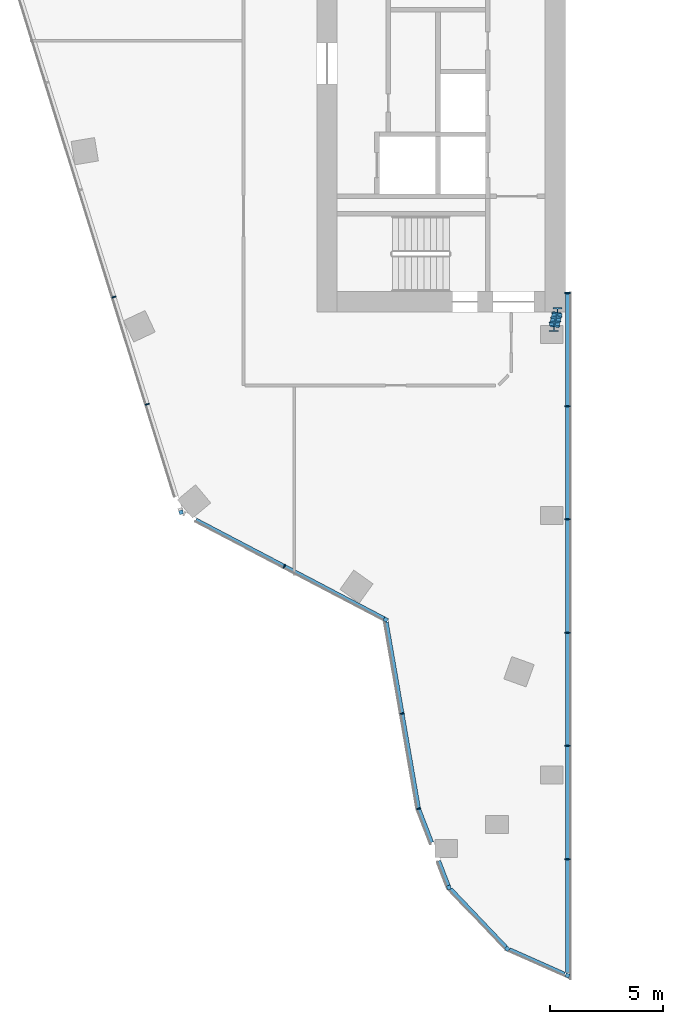
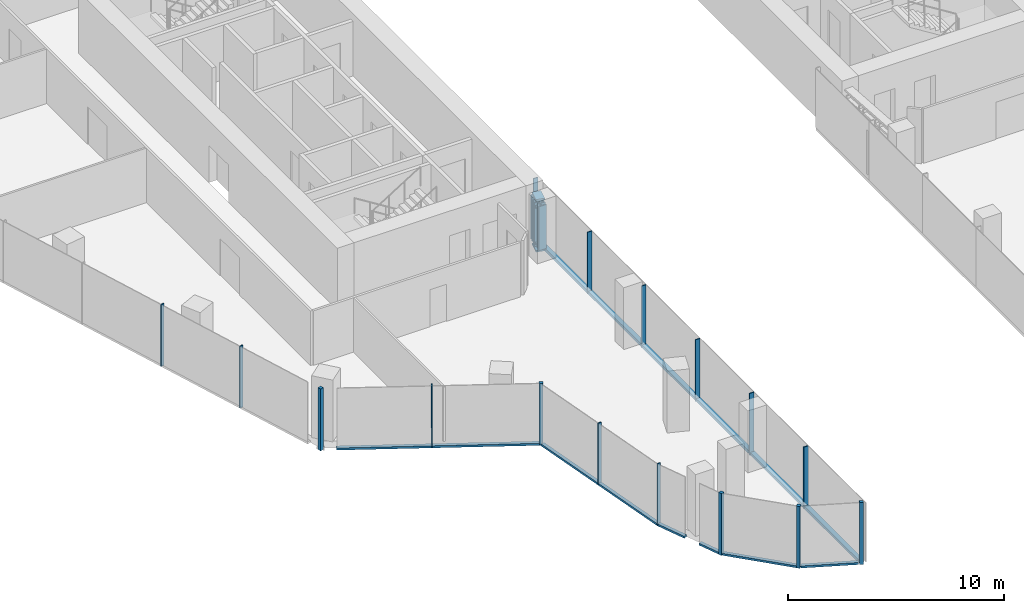
# One storey, part 2 of 23: 29 members, 7 elements without a shape of their own.
"""IFC4 building model written with IfcOpenShell, lengths in metres."""

from ifc_helpers import new_model, si_unit, direction, frame, origin, origin_2d, place, context, subcontext, project, spatial, rectangle, i_section, extrude, material, material_profile, profile_set, type_object, element, aggregate, save


model = new_model("IFC4")

# Units and contexts
model_context = context("Model", 3, precision=1e-05, world=origin(), true_north=direction((0.0, 1.0)))
body_context = subcontext(model_context, "Body", "Model", "MODEL_VIEW")
ifc_project = project(units=[si_unit("LENGTHUNIT", "METRE"), si_unit("AREAUNIT", "SQUARE_METRE"), si_unit("VOLUMEUNIT", "CUBIC_METRE"), si_unit("PLANEANGLEUNIT", "RADIAN"), si_unit("MASSUNIT", "GRAM", prefix="KILO")], contexts=[model_context])

# Site, building, storey
site_placement = place(None, origin())
site = spatial("IfcSite", under=ifc_project, at=site_placement, CompositionType="ELEMENT")
building_placement = place(site_placement, origin())
building = spatial("IfcBuilding", under=site, at=building_placement, Name="Orlundy Tower", CompositionType="ELEMENT")
storey_placement = place(building_placement, frame((0.0, 0.0, 264.0)))
storey = spatial("IfcBuildingStorey", under=building, at=storey_placement, Name="L70", CompositionType="ELEMENT", Elevation=264.0)

# Curtain wall, member
ifc_material_1 = material(Name="Aluminium bronze anodised", Category="aluminium")
curtain_wall_type = type_object("IfcCurtainWallType", Name="CW1 wall", PredefinedType="NOTDEFINED", material=ifc_material_1)
curtain_wall_1_placement = place(storey_placement, origin())
curtain_wall_1 = element("IfcCurtainWall", 1, at=curtain_wall_1_placement, inside=storey, type_object=curtain_wall_type, Name="CW1 run 00", PredefinedType="NOTDEFINED")
ifc_material_2 = material(Name="Aluminium bronze anodised", Category="aluminium")
ifc_material_profile_1 = material_profile(ifc_material_2, rectangle(XDim=0.179931640625, YDim=0.179931640625, at=origin_2d()), Name="CW1 corner post 180x180")
ifc_profile_set_1 = profile_set([ifc_material_profile_1], Name="Aluminium bronze anodised")
member_type_1 = type_object("IfcMemberType", Name="CW1 corner post 180x180", PredefinedType="MULLION", material=ifc_profile_set_1)
member_1_placement = place(storey_placement, frame((-15.9501953125, -25.612060546875, -0.39990234375), z_axis=(0.0, 0.0, 1.0), x_axis=(-0.464324546988, -0.885665125804, 0.0)))
member_1 = element("IfcMember", 2, at=member_1_placement, type_object=member_type_1, Name="CW1 mullion 1", PredefinedType="MULLION", context=body_context, shape_type="SweptSolid", body=[
    extrude(rectangle(XDim=0.179931640625, YDim=0.179931640625, at=origin_2d()), origin(), (0.0, 0.0, 1.0), 3.5),
])

curtain_wall_2_placement = place(storey_placement, origin())
curtain_wall_2 = element("IfcCurtainWall", 3, at=curtain_wall_2_placement, inside=storey, type_object=curtain_wall_type, Name="CW1 run 01", PredefinedType="NOTDEFINED")
member_2_placement = place(storey_placement, frame((-25.009765625, -20.8623046875, -0.39990234375), z_axis=(0.0, 0.0, 1.0), x_axis=(-0.954580158408, -0.297954226643, 0.0)))
member_2 = element("IfcMember", 4, at=member_2_placement, type_object=member_type_1, Name="CW1 mullion 3", PredefinedType="MULLION", context=body_context, shape_type="SweptSolid", body=[
    extrude(rectangle(XDim=0.179931640625, YDim=0.179931640625, at=origin_2d()), origin(), (0.0, 0.0, 1.0), 3.5),
])

curtain_wall_3_placement = place(storey_placement, origin())
curtain_wall_3 = element("IfcCurtainWall", 5, at=curtain_wall_3_placement, inside=storey, type_object=curtain_wall_type, Name="CW1 run 05", PredefinedType="NOTDEFINED")
member_3_placement = place(storey_placement, frame((-7.909912109375, -41.361328125, -0.39990234375), z_axis=(0.0, 0.0, 1.0), x_axis=(-0.405432387581, -0.914125034719, 0.0)))
member_3 = element("IfcMember", 6, at=member_3_placement, type_object=member_type_1, Name="CW1 mullion 30", PredefinedType="MULLION", context=body_context, shape_type="SweptSolid", body=[
    extrude(rectangle(XDim=0.179931640625, YDim=0.179931640625, at=origin_2d()), origin(), (0.0, 0.0, 1.0), 3.5),
])

curtain_wall_4_placement = place(storey_placement, origin())
curtain_wall_4 = element("IfcCurtainWall", 7, at=curtain_wall_4_placement, inside=storey, type_object=curtain_wall_type, Name="CW1 run 06", PredefinedType="NOTDEFINED")
member_4_placement = place(storey_placement, frame((-10.575927734375, -40.178955078125, -0.39990234375), z_axis=(0.0, 0.0, 1.0), x_axis=(-0.724291875351, -0.689493494749, 0.0)))
member_4 = element("IfcMember", 8, at=member_4_placement, type_object=member_type_1, Name="CW1 mullion 31", PredefinedType="MULLION", context=body_context, shape_type="SweptSolid", body=[
    extrude(rectangle(XDim=0.179931640625, YDim=0.179931640625, at=origin_2d()), origin(), (0.0, 0.0, 1.0), 3.5),
])

curtain_wall_5_placement = place(storey_placement, origin())
curtain_wall_5 = element("IfcCurtainWall", 9, at=curtain_wall_5_placement, inside=storey, type_object=curtain_wall_type, Name="CW1 run 07", PredefinedType="NOTDEFINED")
member_5_placement = place(storey_placement, frame((-13.156494140625, -37.468017578125, -0.39990234375), z_axis=(0.0, 0.0, 1.0), x_axis=(-0.933109013885, -0.359593615358, 0.0)))
member_5 = element("IfcMember", 10, at=member_5_placement, type_object=member_type_1, Name="CW1 mullion 32", PredefinedType="MULLION", context=body_context, shape_type="SweptSolid", body=[
    extrude(rectangle(XDim=0.179931640625, YDim=0.179931640625, at=origin_2d()), origin(), (0.0, 0.0, 1.0), 3.5),
])

# Member
ifc_material_3 = material(Name="Aluminium bronze anodised", Category="aluminium")
ifc_material_profile_2 = material_profile(ifc_material_3, rectangle(XDim=0.179931640625, YDim=0.050048828125, at=origin_2d()), Name="CW1 mullion 50x180")
ifc_profile_set_2 = profile_set([ifc_material_profile_2], Name="Aluminium bronze anodised")
member_type_2 = type_object("IfcMemberType", Name="CW1 mullion 50x180", PredefinedType="MULLION", material=ifc_profile_set_2)
member_6_placement = place(storey_placement, frame((-20.44384765625, -23.256103515625, -0.39990234375), z_axis=(0.0, 0.0, 1.0), x_axis=(-0.464324546988, -0.885665125804, 0.0)))
member_6 = element("IfcMember", 11, at=member_6_placement, type_object=member_type_2, Name="CW1 mullion 2", PredefinedType="MULLION", context=body_context, shape_type="SweptSolid", body=[
    extrude(rectangle(XDim=0.179931640625, YDim=0.050048828125, at=origin_2d()), origin(), (0.0, 0.0, 1.0), 3.5),
])

member_7_placement = place(storey_placement, frame((-26.501953125, -16.08203125, -0.39990234375), z_axis=(0.0, 0.0, 1.0), x_axis=(-0.954580158408, -0.297954226643, 0.0)))
member_7 = element("IfcMember", 12, at=member_7_placement, type_object=member_type_2, Name="CW1 mullion 4", PredefinedType="MULLION", context=body_context, shape_type="SweptSolid", body=[
    extrude(rectangle(XDim=0.179931640625, YDim=0.050048828125, at=origin_2d()), origin(), (0.0, 0.0, 1.0), 3.5),
])

member_8_placement = place(storey_placement, frame((-27.98291015625, -11.337158203125, -0.39990234375), z_axis=(0.0, 0.0, 1.0), x_axis=(-0.954580158408, -0.297954226643, 0.0)))
member_8 = element("IfcMember", 13, at=member_8_placement, type_object=member_type_2, Name="CW1 mullion 5", PredefinedType="MULLION", context=body_context, shape_type="SweptSolid", body=[
    extrude(rectangle(XDim=0.179931640625, YDim=0.050048828125, at=origin_2d()), origin(), (0.0, 0.0, 1.0), 3.5),
])

aggregate(curtain_wall_2, [member_2, member_7, member_8])

# Curtain wall, members
curtain_wall_6_placement = place(storey_placement, origin())
curtain_wall_6 = element("IfcCurtainWall", 14, at=curtain_wall_6_placement, inside=storey, type_object=curtain_wall_type, Name="CW1 run 08", PredefinedType="NOTDEFINED")
member_9_placement = place(storey_placement, frame((-14.499267578125, -33.984130859375, -0.39990234375), z_axis=(0.0, 0.0, 1.0), x_axis=(-0.963846106573, -0.266459533219, 0.0)))
member_9 = element("IfcMember", 15, at=member_9_placement, type_object=member_type_2, Name="CW1 mullion 33", PredefinedType="MULLION", context=body_context, shape_type="SweptSolid", body=[
    extrude(rectangle(XDim=0.179931640625, YDim=0.050048828125, at=origin_2d()), origin(), (0.0, 0.0, 1.0), 3.5),
])
member_10_placement = place(storey_placement, frame((-15.229248046875, -29.77197265625, -0.39990234375), z_axis=(0.0, 0.0, 1.0), x_axis=(-0.985312227538, -0.170762449807, 0.0)))
member_10 = element("IfcMember", 16, at=member_10_placement, type_object=member_type_2, Name="CW1 mullion 34", PredefinedType="MULLION", context=body_context, shape_type="SweptSolid", body=[
    extrude(rectangle(XDim=0.179931640625, YDim=0.050048828125, at=origin_2d()), origin(), (0.0, 0.0, 1.0), 3.5),
])

# Member
ifc_material_4 = material(Name="Aluminium bronze anodised", Category="aluminium")
ifc_material_profile_3 = material_profile(ifc_material_4, rectangle(XDim=0.179931640625, YDim=0.1201171875, at=origin_2d()), Name="CW1 transom 180x120")
ifc_profile_set_3 = profile_set([ifc_material_profile_3], Name="Aluminium bronze anodised")
member_type_3 = type_object("IfcMemberType", Name="CW1 transom 180x120", PredefinedType="USERDEFINED", material=ifc_profile_set_3)
member_11_placement = place(storey_placement, frame((-16.02978515625, -25.5703125, -0.340087890625), z_axis=(-0.885668458916, 0.464318189263, 0.0), x_axis=(-0.464318189263, -0.885668458916, 0.0)))
member_11 = element("IfcMember", 17, at=member_11_placement, type_object=member_type_3, Name="CW1 transom", ObjectType="TRANSOM", PredefinedType="USERDEFINED", context=body_context, shape_type="SweptSolid", body=[
    extrude(rectangle(XDim=0.179931640625, YDim=0.1201171875, at=origin_2d()), origin(), (0.0, 0.0, 1.0), 9.4091796875),
])

aggregate(curtain_wall_1, [member_1, member_6, member_11])

member_12_placement = place(storey_placement, frame((-8.036376953125, -41.30517578125, -0.340087890625), z_axis=(-0.914145503169, 0.405386234393, 0.0), x_axis=(-0.405386234393, -0.914145503169, 0.0)))
member_12 = element("IfcMember", 18, at=member_12_placement, type_object=member_type_3, Name="CW1 transom", ObjectType="TRANSOM", PredefinedType="USERDEFINED", context=body_context, shape_type="SweptSolid", body=[
    extrude(rectangle(XDim=0.179931640625, YDim=0.1201171875, at=origin_2d()), origin(), (0.0, 0.0, 1.0), 2.6806640625),
])

aggregate(curtain_wall_3, [member_3, member_12])

member_13_placement = place(storey_placement, frame((-10.637939453125, -40.11376953125, -0.340087890625), z_axis=(-0.689485404708, 0.724299576622, 0.0), x_axis=(-0.724299576622, -0.689485404708, 0.0)))
member_13 = element("IfcMember", 19, at=member_13_placement, type_object=member_type_3, Name="CW1 transom", ObjectType="TRANSOM", PredefinedType="USERDEFINED", context=body_context, shape_type="SweptSolid", body=[
    extrude(rectangle(XDim=0.179931640625, YDim=0.1201171875, at=origin_2d()), origin(), (0.0, 0.0, 1.0), 3.555419921875),
])

aggregate(curtain_wall_4, [member_4, member_13])

member_14_placement = place(storey_placement, frame((-13.18896484375, -37.384033203125, -0.340087890625), z_axis=(-0.359552671878, 0.933124791303, 0.0), x_axis=(-0.933124791303, -0.359552671878, 0.0)))
member_14 = element("IfcMember", 20, at=member_14_placement, type_object=member_type_3, Name="CW1 transom", ObjectType="TRANSOM", PredefinedType="USERDEFINED", context=body_context, shape_type="SweptSolid", body=[
    extrude(rectangle(XDim=0.179931640625, YDim=0.1201171875, at=origin_2d()), origin(), (0.0, 0.0, 1.0), 1.169189453125),
])

member_15_placement = place(storey_placement, frame((-13.924072265625, -35.4765625, -0.340087890625), z_axis=(-0.359623282256, 0.933097580567, 0.0), x_axis=(-0.933097580567, -0.359623282256, 0.0)))
member_15 = element("IfcMember", 21, at=member_15_placement, type_object=member_type_3, Name="CW1 transom", ObjectType="TRANSOM", PredefinedType="USERDEFINED", context=body_context, shape_type="SweptSolid", body=[
    extrude(rectangle(XDim=0.179931640625, YDim=0.1201171875, at=origin_2d()), origin(), (0.0, 0.0, 1.0), 1.57421875),
])

aggregate(curtain_wall_5, [member_5, member_14, member_15])

member_16_placement = place(storey_placement, frame((-14.50341796875, -33.959228515625, -0.340087890625), z_axis=(-0.170761768426, 0.985312345627, 0.0), x_axis=(-0.985312345627, -0.170761768426, 0.0)))
member_16 = element("IfcMember", 22, at=member_16_placement, type_object=member_type_3, Name="CW1 transom", ObjectType="TRANSOM", PredefinedType="USERDEFINED", context=body_context, shape_type="SweptSolid", body=[
    extrude(rectangle(XDim=0.179931640625, YDim=0.1201171875, at=origin_2d()), origin(), (0.0, 0.0, 1.0), 8.358154296875),
])

aggregate(curtain_wall_6, [member_9, member_10, member_16])

# Curtain wall, members
curtain_wall_7_placement = place(storey_placement, origin())
curtain_wall_7 = element("IfcCurtainWall", 23, at=curtain_wall_7_placement, inside=storey, type_object=curtain_wall_type, Name="CW1 run 04", PredefinedType="NOTDEFINED")
ifc_material_5 = material(Name="Aluminium bronze anodised", Category="aluminium")
ifc_material_profile_4 = material_profile(ifc_material_5, rectangle(XDim=0.239990234375, YDim=0.050048828125, at=origin_2d()), Name="CW6 mullion 50x240")
ifc_profile_set_4 = profile_set([ifc_material_profile_4], Name="Aluminium bronze anodised")
member_type_4 = type_object("IfcMemberType", Name="CW6 mullion 50x240", PredefinedType="MULLION", material=ifc_profile_set_4)
member_17_placement = place(storey_placement, frame((-7.909912109375, -11.157470703125, -0.39990234375), z_axis=(0.0, 0.0, 1.0), x_axis=(1.0, 0.0, 0.0)))
member_17 = element("IfcMember", 24, at=member_17_placement, type_object=member_type_4, Name="CW6 mullion 24", PredefinedType="MULLION", context=body_context, shape_type="SweptSolid", body=[
    extrude(rectangle(XDim=0.239990234375, YDim=0.050048828125, at=origin_2d()), origin(), (0.0, 0.0, 1.0), 3.5),
])
member_18_placement = place(storey_placement, frame((-7.909912109375, -16.16845703125, -0.39990234375), z_axis=(0.0, 0.0, 1.0), x_axis=(1.0, 0.0, 0.0)))
member_18 = element("IfcMember", 25, at=member_18_placement, type_object=member_type_4, Name="CW6 mullion 25", PredefinedType="MULLION", context=body_context, shape_type="SweptSolid", body=[
    extrude(rectangle(XDim=0.239990234375, YDim=0.050048828125, at=origin_2d()), origin(), (0.0, 0.0, 1.0), 3.5),
])
member_19_placement = place(storey_placement, frame((-7.909912109375, -21.17919921875, -0.39990234375), z_axis=(0.0, 0.0, 1.0), x_axis=(1.0, 0.0, 0.0)))
member_19 = element("IfcMember", 26, at=member_19_placement, type_object=member_type_4, Name="CW6 mullion 26", PredefinedType="MULLION", context=body_context, shape_type="SweptSolid", body=[
    extrude(rectangle(XDim=0.239990234375, YDim=0.050048828125, at=origin_2d()), origin(), (0.0, 0.0, 1.0), 3.5),
])
member_20_placement = place(storey_placement, frame((-7.909912109375, -26.190185546875, -0.39990234375), z_axis=(0.0, 0.0, 1.0), x_axis=(1.0, 0.0, 0.0)))
member_20 = element("IfcMember", 27, at=member_20_placement, type_object=member_type_4, Name="CW6 mullion 27", PredefinedType="MULLION", context=body_context, shape_type="SweptSolid", body=[
    extrude(rectangle(XDim=0.239990234375, YDim=0.050048828125, at=origin_2d()), origin(), (0.0, 0.0, 1.0), 3.5),
])
member_21_placement = place(storey_placement, frame((-7.909912109375, -31.201171875, -0.39990234375), z_axis=(0.0, 0.0, 1.0), x_axis=(1.0, 0.0, 0.0)))
member_21 = element("IfcMember", 28, at=member_21_placement, type_object=member_type_4, Name="CW6 mullion 28", PredefinedType="MULLION", context=body_context, shape_type="SweptSolid", body=[
    extrude(rectangle(XDim=0.239990234375, YDim=0.050048828125, at=origin_2d()), origin(), (0.0, 0.0, 1.0), 3.5),
])
member_22_placement = place(storey_placement, frame((-7.909912109375, -36.212158203125, -0.39990234375), z_axis=(0.0, 0.0, 1.0), x_axis=(1.0, 0.0, 0.0)))
member_22 = element("IfcMember", 29, at=member_22_placement, type_object=member_type_4, Name="CW6 mullion 29", PredefinedType="MULLION", context=body_context, shape_type="SweptSolid", body=[
    extrude(rectangle(XDim=0.239990234375, YDim=0.050048828125, at=origin_2d()), origin(), (0.0, 0.0, 1.0), 3.5),
])
ifc_material_6 = material(Name="Aluminium bronze anodised", Category="aluminium")
ifc_material_profile_5 = material_profile(ifc_material_6, rectangle(XDim=0.239990234375, YDim=0.159912109375, at=origin_2d()), Name="CW6 transom 240x160")
ifc_profile_set_5 = profile_set([ifc_material_profile_5], Name="Aluminium bronze anodised")
member_type_5 = type_object("IfcMemberType", Name="CW6 transom 240x160", PredefinedType="USERDEFINED", material=ifc_profile_set_5)
member_23_placement = place(storey_placement, frame((-7.8798828125, -11.182373046875, -0.320068359375), z_axis=(0.0, -1.0, 0.0), x_axis=(1.0, 0.0, 0.0)))
member_23 = element("IfcMember", 30, at=member_23_placement, type_object=member_type_5, Name="CW6 transom", ObjectType="TRANSOM", PredefinedType="USERDEFINED", context=body_context, shape_type="SweptSolid", body=[
    extrude(rectangle(XDim=0.239990234375, YDim=0.159912109375, at=origin_2d()), origin(), (0.0, 0.0, 1.0), 30.04052734375),
])
aggregate(curtain_wall_7, [member_17, member_18, member_19, member_20, member_21, member_22, member_23])

# Members
ifc_material_7 = material(Name="Steel ASTM A992 Gr 50", Category="steel")
ifc_material_profile_6 = material_profile(ifc_material_7, i_section(OverallWidth=0.43212890625, OverallDepth=0.497802734375, WebThickness=0.0556640625, FlangeThickness=0.0888671875, at=origin_2d()), Name="W14X500")
ifc_profile_set_6 = profile_set([ifc_material_profile_6], Name="Steel ASTM A992 Gr 50")
member_type_6 = type_object("IfcMemberType", Name="PORTAL EDGE TRUSS chord W14X500", PredefinedType="CHORD", material=ifc_profile_set_6)
for number, where, z_axis, x_axis, name in (
    (31, (-8.35009765625, -12.02001953125, 0.28466796875), (-0.247031311842, -0.969007497891, 0.0), (0.969007497891, -0.247031311842, 0.0), "Portal edge truss bottom chord PE-WS"),
    (32, (-8.35009765625, -12.02001953125, 2.765380859375), (-0.247031311842, -0.969007497891, 0.0), (0.969007497891, -0.247031311842, 0.0), "Portal edge truss top chord PE-WS"),
):
    element("IfcMember", number, at=place(storey_placement, frame(where, z_axis=z_axis, x_axis=x_axis)), inside=storey, type_object=member_type_6, Name=name, PredefinedType="CHORD", context=body_context, shape_type="SweptSolid", body=[
        extrude(i_section(OverallWidth=0.43212890625, OverallDepth=0.497802734375, WebThickness=0.0556640625, FlangeThickness=0.0888671875, at=origin_2d()), origin(), (0.0, 0.0, 1.0), 0.6513671875),
    ])
ifc_material_8 = material(Name="Steel ASTM A992 Gr 50", Category="steel")
ifc_material_profile_7 = material_profile(ifc_material_8, i_section(OverallWidth=0.412109375, OverallDepth=0.434814453125, WebThickness=0.035888671875, FlangeThickness=0.057373046875, at=origin_2d()), Name="W14X311")
ifc_profile_set_7 = profile_set([ifc_material_profile_7], Name="Steel ASTM A992 Gr 50")
member_type_7 = type_object("IfcMemberType", Name="PORTAL EDGE TRUSS post W14X311", PredefinedType="POST", material=ifc_profile_set_7)
for number, where, z_axis, x_axis, name in (
    (33, (-8.35009765625, -12.02001953125, 0.28466796875), (0.0, 0.0, 1.0), (1.0, 0.0, 0.0), "Portal edge truss post PE-WS-0"),
    (34, (-8.40380859375, -12.23046875, 0.28466796875), (0.0, 0.0, 1.0), (1.0, 0.0, 0.0), "Portal edge truss post PE-WS-1"),
    (35, (-8.457275390625, -12.44091796875, 0.28466796875), (0.0, 0.0, 1.0), (1.0, 0.0, 0.0), "Portal edge truss post PE-WS-2"),
    (36, (-8.510986328125, -12.651123046875, 0.28466796875), (0.0, 0.0, 1.0), (1.0, 0.0, 0.0), "Portal edge truss post PE-WS-3"),
):
    element("IfcMember", number, at=place(storey_placement, frame(where, z_axis=z_axis, x_axis=x_axis)), inside=storey, type_object=member_type_7, Name=name, PredefinedType="POST", context=body_context, shape_type="SweptSolid", body=[
        extrude(i_section(OverallWidth=0.412109375, OverallDepth=0.434814453125, WebThickness=0.035888671875, FlangeThickness=0.057373046875, at=origin_2d()), origin(), (0.0, 0.0, 1.0), 2.480712890625),
    ])

save(model, "model.ifc")
